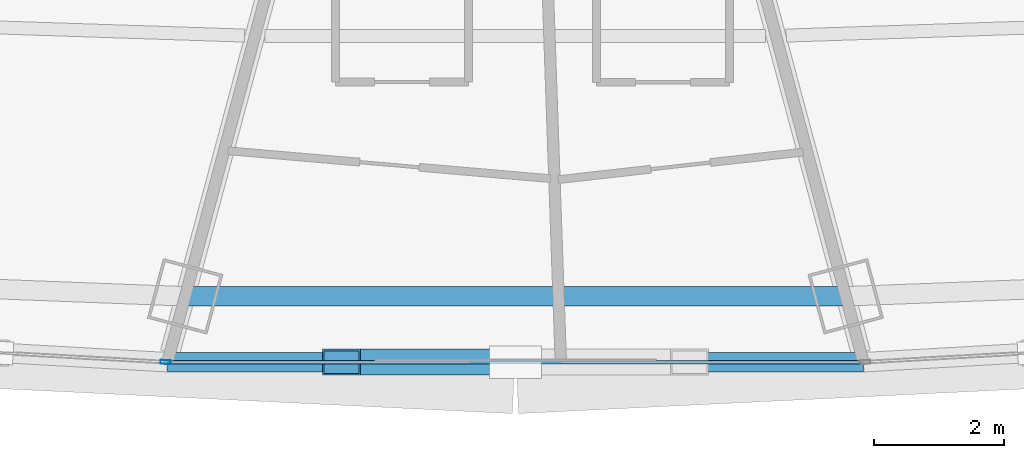
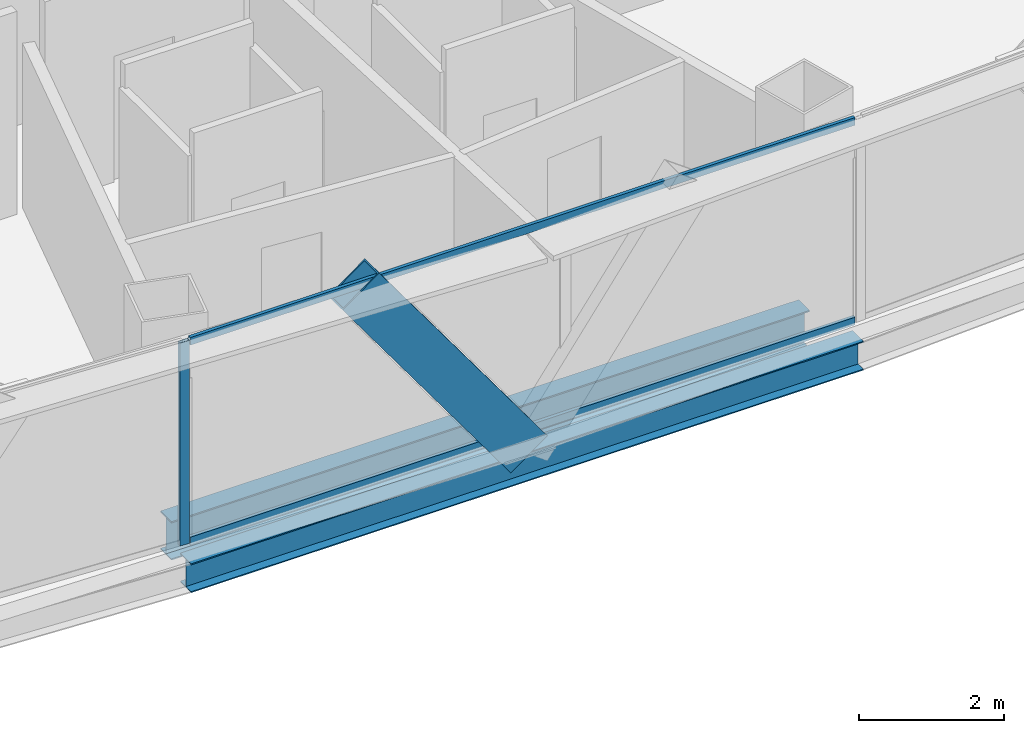
# One storey, part 10 of 39: 4 members, 2 beams, 2 elements without a shape of their own.
"""IFC4 building model written with IfcOpenShell, lengths in metres."""

from ifc_helpers import new_model, si_unit, direction, frame, origin, origin_2d, place, context, subcontext, project, spatial, hollow_rectangle, i_section, extrude, source, transform, mapped, material, layer, layer_set, material_profile, profile_set, type_object, element, aggregate, save


model = new_model("IFC4")

# Units and contexts
model_context = context("Model", 3, precision=1e-05, world=origin(), true_north=direction((0.0, 1.0)))
body_context = subcontext(model_context, "Body", "Model", "MODEL_VIEW")
ifc_project = project(units=[si_unit("LENGTHUNIT", "METRE"), si_unit("AREAUNIT", "SQUARE_METRE"), si_unit("VOLUMEUNIT", "CUBIC_METRE"), si_unit("PLANEANGLEUNIT", "RADIAN"), si_unit("MASSUNIT", "GRAM", prefix="KILO"), si_unit("THERMODYNAMICTEMPERATUREUNIT", "KELVIN"), si_unit("POWERUNIT", "WATT")], contexts=[model_context])

# Site, building, storey
site_placement = place(None, origin())
site = spatial("IfcSite", under=ifc_project, at=site_placement, CompositionType="ELEMENT")
building_placement = place(site_placement, origin())
building = spatial("IfcBuilding", under=site, at=building_placement, Name="Yunzhuo Pagoda Commons", CompositionType="ELEMENT")
storey_placement = place(building_placement, frame((0.0, 0.0, 166.6298828125)))
storey = spatial("IfcBuildingStorey", under=building, at=storey_placement, Name="L42", CompositionType="ELEMENT", Elevation=166.6298828125)

# Beams
ifc_material_1 = material(Name="Structural steel Q355B", Category="steel")
ifc_material_profile_1 = material_profile(ifc_material_1, i_section(OverallWidth=0.300048828125, OverallDepth=0.64990234375, WebThickness=0.012939453125, FlangeThickness=0.02197265625, at=origin_2d()), Name="Structural steel Q355B")
ifc_profile_set_1 = profile_set([ifc_material_profile_1], Name="Structural steel Q355B")
beam_type_1 = type_object("IfcBeamType", Name="B-RG2 Beam HN 650x300x13x22", PredefinedType="BEAM", material=ifc_profile_set_1)
shared_shape_1 = source(origin(), body_context, "Body", "SweptSolid", [
    extrude(i_section(OverallWidth=0.300048828125, OverallDepth=0.64990234375, WebThickness=0.012939453125, FlangeThickness=0.02197265625, at=origin_2d()), origin(), (0.0, 0.0, 1.0), 10.17041015625),
])
beam_1_placement = place(storey_placement, frame((42.914794921875, 14.7216796875, -0.5849609375), z_axis=(1.0, 0.0, 0.0), x_axis=(0.0, 1.0, 0.0)))
element("IfcBeam", 1, at=beam_1_placement, inside=storey, type_object=beam_type_1, Name="L42 column-ring beam 2", PredefinedType="BEAM", context=body_context, shape_type="MappedRepresentation", body=[
    mapped(shared_shape_1, transform((0.0, 0.0, 0.0), scale=1.0)),
])
ifc_material_profile_2 = material_profile(ifc_material_1, i_section(OverallWidth=0.300048828125, OverallDepth=0.488037109375, WebThickness=0.010986328125, FlangeThickness=0.01806640625, at=origin_2d()), Name="Structural steel Q355B")
ifc_profile_set_2 = profile_set([ifc_material_profile_2], Name="Structural steel Q355B")
beam_type_2 = type_object("IfcBeamType", Name="B-SP1 Beam HM 488x300x11x18", PredefinedType="BEAM", material=ifc_profile_set_2)
shared_shape_2 = source(origin(), body_context, "Body", "SweptSolid", [
    extrude(i_section(OverallWidth=0.300048828125, OverallDepth=0.488037109375, WebThickness=0.010986328125, FlangeThickness=0.01806640625, at=origin_2d()), origin(), (0.0, 0.0, 1.0), 10.71435546875),
])
beam_2_placement = place(storey_placement, frame((42.642822265625, 13.707275390625, -0.50390625), z_axis=(1.0, 0.0, 0.0), x_axis=(0.0, 1.0, 0.0)))
element("IfcBeam", 2, at=beam_2_placement, inside=storey, type_object=beam_type_2, Name="L42 facade edge spandrel beam F1.2", PredefinedType="BEAM", context=body_context, shape_type="MappedRepresentation", body=[
    mapped(shared_shape_2, transform((0.0, 0.0, 0.0), scale=1.0)),
])

# Member
ifc_material_profile_3 = material_profile(ifc_material_1, hollow_rectangle(XDim=0.39990234375, YDim=0.719970703125, WallThickness=0.02392578125, at=origin_2d()), Name="Structural steel Q355B")
ifc_profile_set_3 = profile_set([ifc_material_profile_3], Name="Structural steel Q355B")
member_type_1 = type_object("IfcMemberType", Name="M-DL2 Brace BOX 720x400x24", PredefinedType="BRACE", material=ifc_profile_set_3)
shared_shape_3 = source(origin(), body_context, "Body", "SweptSolid", [
    extrude(hollow_rectangle(XDim=0.39990234375, YDim=0.719970703125, WallThickness=0.02392578125, at=origin_2d()), origin(), (0.0, 0.0, 1.0), 4.5517578125),
])
member_1_placement = place(storey_placement, frame((48.0, 13.707275390625, -0.259765625), z_axis=(-0.588516087242, 0.0, 0.808485507018), x_axis=(0.0, -1.0, 0.0)))
element("IfcMember", 3, at=member_1_placement, inside=storey, type_object=member_type_1, Name="L42 facade diamond brace F1.2L", PredefinedType="BRACE", context=body_context, shape_type="MappedRepresentation", body=[
    mapped(shared_shape_3, transform((0.0, 0.0, 0.0), scale=1.0)),
])

# Curtain wall, member
ifc_material_2 = material(Name="Anodized aluminium 6063-T6", Category="aluminium")
ifc_layer = layer(ifc_material_2, 0.14990234375)
ifc_layer_set = layer_set([ifc_layer], Name="Anodized aluminium 6063-T6")
curtain_wall_type = type_object("IfcCurtainWallType", Name="CW-MID Mid-Zone Ribbon Curtain Wall", PredefinedType="NOTDEFINED", material=ifc_layer_set)
curtain_wall_1_placement = place(storey_placement, origin())
curtain_wall_1 = element("IfcCurtainWall", 4, at=curtain_wall_1_placement, inside=storey, type_object=curtain_wall_type, Name="L42 curtain wall CW-L42-F1B2", PredefinedType="NOTDEFINED")
ifc_material_profile_4 = material_profile(ifc_material_2, hollow_rectangle(XDim=0.06005859375, YDim=0.14990234375, WallThickness=0.00390625, at=origin_2d()), Name="Anodized aluminium 6063-T6")
ifc_profile_set_4 = profile_set([ifc_material_profile_4], Name="Anodized aluminium 6063-T6")
member_type_2 = type_object("IfcMemberType", Name="CW-MID-M Mullion RHS 150x60x4", PredefinedType="MULLION", material=ifc_profile_set_4)
shared_shape_4 = source(origin(), body_context, "Body", "SweptSolid", [
    extrude(hollow_rectangle(XDim=0.06005859375, YDim=0.14990234375, WallThickness=0.00390625, at=origin_2d()), origin(), (0.0, 0.0, 1.0), 3.420166015625),
])
member_2_placement = place(storey_placement, frame((42.613037109375, 13.708984375, 0.0), z_axis=(0.0, 0.0, 1.0), x_axis=(0.056298716731, 0.998413969501, 0.0)))
member_2 = element("IfcMember", 5, at=member_2_placement, type_object=member_type_2, Name="CW mullion 2", PredefinedType="MULLION", context=body_context, shape_type="MappedRepresentation", body=[
    mapped(shared_shape_4, transform((0.0, 0.0, 0.0), scale=1.0)),
])
aggregate(curtain_wall_1, [member_2])

# Curtain wall, members
curtain_wall_2_placement = place(storey_placement, origin())
curtain_wall_2 = element("IfcCurtainWall", 6, at=curtain_wall_2_placement, inside=storey, type_object=curtain_wall_type, Name="L42 curtain wall CW-L42-F1B3", PredefinedType="NOTDEFINED")
ifc_material_profile_5 = material_profile(ifc_material_2, hollow_rectangle(XDim=0.054931640625, YDim=0.1298828125, WallThickness=0.00341796875, at=origin_2d()), Name="Anodized aluminium 6063-T6")
ifc_profile_set_5 = profile_set([ifc_material_profile_5], Name="Anodized aluminium 6063-T6")
member_type_3 = type_object("IfcMemberType", Name="CW-MID-T Transom RHS 130x55x3.5", PredefinedType="USERDEFINED", material=ifc_profile_set_5)
shared_shape_5 = source(origin(), body_context, "Body", "SweptSolid", [
    extrude(hollow_rectangle(XDim=0.054931640625, YDim=0.1298828125, WallThickness=0.00341796875, at=origin_2d()), origin(), (0.0, 0.0, 1.0), 10.59423828125),
])
member_3_placement = place(storey_placement, frame((42.702880859375, 13.707275390625, 0.027587890625), z_axis=(1.0, 0.0, 0.0), x_axis=(0.0, 1.0, 0.0)))
member_3 = element("IfcMember", 7, at=member_3_placement, type_object=member_type_3, Name="CW transom 1.1", ObjectType="TRANSOM", PredefinedType="USERDEFINED", context=body_context, shape_type="MappedRepresentation", body=[
    mapped(shared_shape_5, transform((0.0, 0.0, 0.0), scale=1.0)),
])
member_4_placement = place(storey_placement, frame((42.702880859375, 13.707275390625, 3.392578125), z_axis=(1.0, 0.0, 0.0), x_axis=(0.0, 1.0, 0.0)))
member_4 = element("IfcMember", 8, at=member_4_placement, type_object=member_type_3, Name="CW transom 1.2", ObjectType="TRANSOM", PredefinedType="USERDEFINED", context=body_context, shape_type="MappedRepresentation", body=[
    mapped(shared_shape_5, transform((0.0, 0.0, 0.0), scale=1.0)),
])
aggregate(curtain_wall_2, [member_3, member_4])

save(model, "model.ifc")
